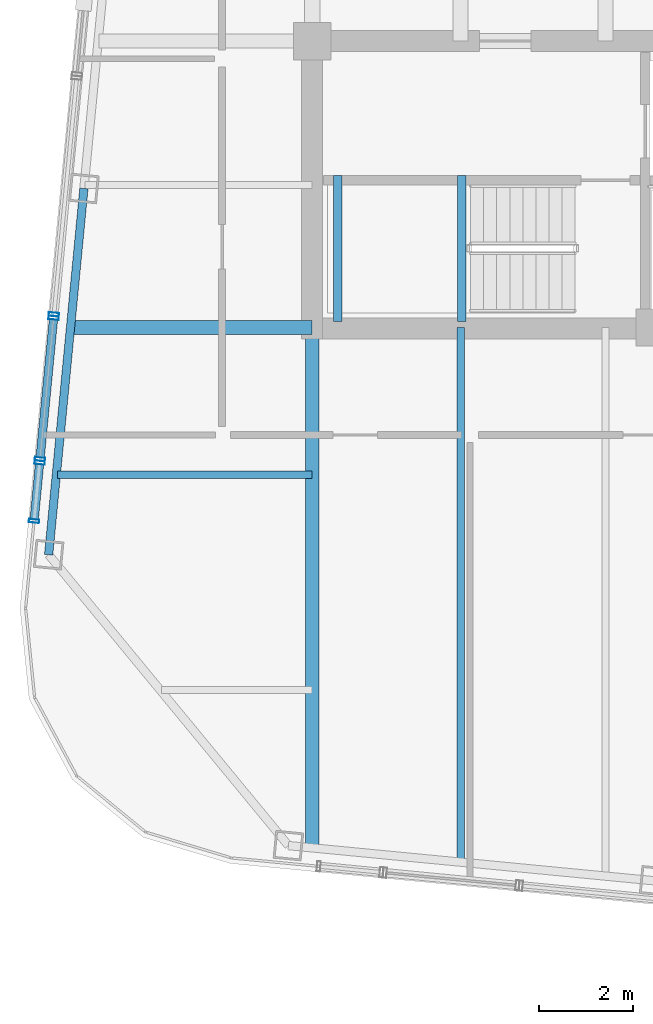
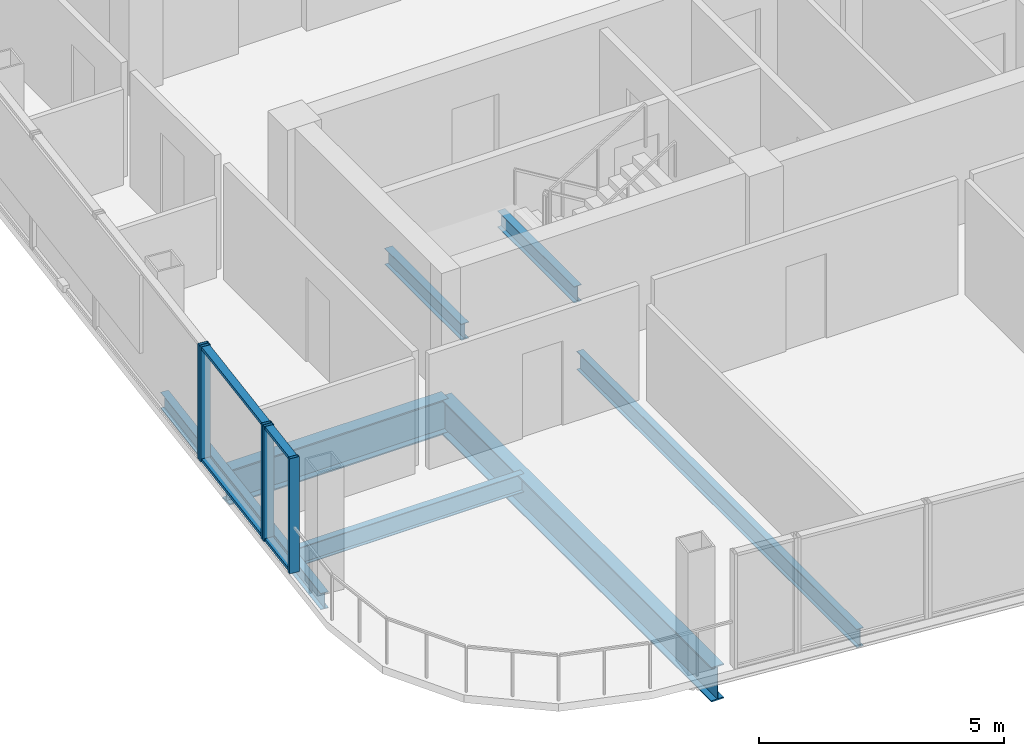
# One storey, part 3 of 23: 9 members, 7 beams, 3 elements without a shape of their own.
"""IFC4 building model written with IfcOpenShell, lengths in metres."""

from ifc_helpers import new_model, si_unit, direction, frame, origin, origin_2d, place, context, subcontext, project, spatial, hollow_rectangle, i_section, extrude, material, layer, layer_set, material_profile, profile_set, type_object, element, aggregate, save


model = new_model("IFC4")

# Units and contexts
model_context = context("Model", 3, precision=1e-05, world=origin(), true_north=direction((0.0, 1.0)))
body_context = subcontext(model_context, "Body", "Model", "MODEL_VIEW")
ifc_project = project(units=[si_unit("LENGTHUNIT", "METRE"), si_unit("AREAUNIT", "SQUARE_METRE"), si_unit("VOLUMEUNIT", "CUBIC_METRE"), si_unit("PLANEANGLEUNIT", "RADIAN"), si_unit("MASSUNIT", "GRAM", prefix="KILO")], contexts=[model_context])

# Site, building, storey
site_placement = place(None, origin())
site = spatial("IfcSite", under=ifc_project, at=site_placement, CompositionType="ELEMENT")
building_placement = place(site_placement, origin())
building = spatial("IfcBuilding", under=site, at=building_placement, Name="Qhalaya Broadcast Tower", CompositionType="ELEMENT")
storey_placement = place(building_placement, frame((0.0, 0.0, 261.14990234375)))
storey = spatial("IfcBuildingStorey", under=building, at=storey_placement, Name="L77", CompositionType="ELEMENT", Elevation=261.14990234375)

# Beams
ifc_material_1 = material(Name="Structural Steel ASTM A992 Grade 50", Category="steel")
ifc_material_profile_1 = material_profile(ifc_material_1, i_section(OverallWidth=0.154052734375, OverallDepth=0.458984375, WebThickness=0.009033203125, FlangeThickness=0.015380859375, at=origin_2d()), Name="W18X46")
ifc_profile_set_1 = profile_set([ifc_material_profile_1], Name="Structural Steel ASTM A992 Grade 50")
beam_type_1 = type_object("IfcBeamType", Name="Composite Floor Joist J04", PredefinedType="JOIST", material=ifc_profile_set_1)
beam_1_placement = place(storey_placement, frame((-6.199951171875, -20.1630859375, -0.41943359375), z_axis=(0.0, 1.0, 0.0), x_axis=(-1.0, 0.0, 0.0)))
element("IfcBeam", 1, at=beam_1_placement, inside=storey, type_object=beam_type_1, Name="L77 J04 L77-JNS1-1", PredefinedType="JOIST", context=body_context, shape_type="SweptSolid", body=[
    extrude(i_section(OverallWidth=0.154052734375, OverallDepth=0.458984375, WebThickness=0.009033203125, FlangeThickness=0.015380859375, at=origin_2d()), origin(), (0.0, 0.0, 1.0), 11.4130859375),
])
beam_2_placement = place(storey_placement, frame((-14.82568359375, -11.89990234375, -0.41943359375), z_axis=(1.0, 0.0, 0.0), x_axis=(0.0, 1.0, 0.0)))
element("IfcBeam", 2, at=beam_2_placement, inside=storey, type_object=beam_type_1, Name="L77 J04 L77-JWE2W-1", PredefinedType="JOIST", context=body_context, shape_type="SweptSolid", body=[
    extrude(i_section(OverallWidth=0.154052734375, OverallDepth=0.458984375, WebThickness=0.009033203125, FlangeThickness=0.015380859375, at=origin_2d()), origin(), (0.0, 0.0, 1.0), 5.45068359375),
])

# Curtain wall, member
ifc_material_2 = material(Name="Fired Architectural Terracotta", Category="masonry")
ifc_layer_1 = layer(ifc_material_2, 0.219970703125, Name="Fired Architectural Terracotta")
ifc_layer_set_1 = layer_set([ifc_layer_1], Name="Fired Architectural Terracotta")
curtain_wall_type_1 = type_object("IfcCurtainWallType", Name="Block-Cap Unitised Terracotta Spandrel Wall CW-07", PredefinedType="NOTDEFINED", material=ifc_layer_set_1)
curtain_wall_1_placement = place(storey_placement, origin())
curtain_wall_1 = element("IfcCurtainWall", 3, at=curtain_wall_1_placement, inside=storey, type_object=curtain_wall_type_1, Name="L77 Unitised Curtain Wall L77-CW-W5", PredefinedType="NOTDEFINED")
ifc_material_3 = material(Name="Anodised Aluminium 6063-T6", Category="aluminium")
ifc_material_profile_2 = material_profile(ifc_material_3, hollow_rectangle(XDim=0.074951171875, YDim=0.219970703125, WallThickness=0.00390625, at=origin_2d()), Name="ALU-MUL 75x220x4")
ifc_profile_set_2 = profile_set([ifc_material_profile_2], Name="Anodised Aluminium 6063-T6")
member_type_1 = type_object("IfcMemberType", Name="Unitised Curtain-Wall Mullion M01", PredefinedType="MULLION", material=ifc_profile_set_2)
member_1_placement = place(storey_placement, frame((-14.8974609375, -8.469970703125, 0.0), z_axis=(0.0, 0.0, 1.0), x_axis=(-0.095849485357, -0.995395838929, 0.0)))
member_1 = element("IfcMember", 4, at=member_1_placement, type_object=member_type_1, Name="CW-07 mullion 2", PredefinedType="MULLION", context=body_context, shape_type="SweptSolid", body=[
    extrude(hollow_rectangle(XDim=0.074951171875, YDim=0.219970703125, WallThickness=0.00390625, at=origin_2d()), origin(), (0.0, 0.0, 1.0), 2.860107421875),
])
aggregate(curtain_wall_1, [member_1])

# Curtain wall, members
ifc_material_4 = material(Name="Solar-Control Low-E Triple Glazing", Category="glass")
ifc_layer_2 = layer(ifc_material_4, 0.219970703125, Name="Solar-Control Low-E Triple Glazing")
ifc_layer_set_2 = layer_set([ifc_layer_2], Name="Solar-Control Low-E Triple Glazing")
curtain_wall_type_2 = type_object("IfcCurtainWallType", Name="High-Altitude Upper-Shaft Triple Low-E Curtain Wall CW-04", PredefinedType="NOTDEFINED", material=ifc_layer_set_2)
curtain_wall_2_placement = place(storey_placement, origin())
curtain_wall_2 = element("IfcCurtainWall", 5, at=curtain_wall_2_placement, inside=storey, type_object=curtain_wall_type_2, Name="L77 Unitised Curtain Wall L77-CW-W6", PredefinedType="NOTDEFINED")
member_2_placement = place(storey_placement, frame((-14.904541015625, -8.544677734375, 0.0), z_axis=(0.0, 0.0, 1.0), x_axis=(-0.095854552953, -0.995395350943, 0.0)))
member_2 = element("IfcMember", 6, at=member_2_placement, type_object=member_type_1, Name="CW-04 mullion 1", PredefinedType="MULLION", context=body_context, shape_type="SweptSolid", body=[
    extrude(hollow_rectangle(XDim=0.074951171875, YDim=0.219970703125, WallThickness=0.00390625, at=origin_2d()), origin(), (0.0, 0.0, 1.0), 2.860107421875),
])
member_3_placement = place(storey_placement, frame((-15.195556640625, -11.565673828125, 0.0), z_axis=(0.0, 0.0, 1.0), x_axis=(-0.095854552953, -0.995395350943, 0.0)))
member_3 = element("IfcMember", 7, at=member_3_placement, type_object=member_type_1, Name="CW-04 mullion 2", PredefinedType="MULLION", context=body_context, shape_type="SweptSolid", body=[
    extrude(hollow_rectangle(XDim=0.074951171875, YDim=0.219970703125, WallThickness=0.00390625, at=origin_2d()), origin(), (0.0, 0.0, 1.0), 2.860107421875),
])

curtain_wall_3_placement = place(storey_placement, origin())
curtain_wall_3 = element("IfcCurtainWall", 8, at=curtain_wall_3_placement, inside=storey, type_object=curtain_wall_type_1, Name="L77 Unitised Curtain Wall L77-CW-W7", PredefinedType="NOTDEFINED")
member_4_placement = place(storey_placement, frame((-15.20263671875, -11.640380859375, 0.0), z_axis=(0.0, 0.0, 1.0), x_axis=(-0.095857322215, -0.995395084264, 0.0)))
member_4 = element("IfcMember", 9, at=member_4_placement, type_object=member_type_1, Name="CW-07 mullion 1", PredefinedType="MULLION", context=body_context, shape_type="SweptSolid", body=[
    extrude(hollow_rectangle(XDim=0.074951171875, YDim=0.219970703125, WallThickness=0.00390625, at=origin_2d()), origin(), (0.0, 0.0, 1.0), 2.860107421875),
])
member_5_placement = place(storey_placement, frame((-15.32275390625, -12.887451171875, 0.0), z_axis=(0.0, 0.0, 1.0), x_axis=(-0.095857322215, -0.995395084264, 0.0)))
member_5 = element("IfcMember", 10, at=member_5_placement, type_object=member_type_1, Name="CW-07 mullion 2", PredefinedType="MULLION", context=body_context, shape_type="SweptSolid", body=[
    extrude(hollow_rectangle(XDim=0.074951171875, YDim=0.219970703125, WallThickness=0.00390625, at=origin_2d()), origin(), (0.0, 0.0, 1.0), 2.860107421875),
])

# Member
ifc_material_profile_3 = material_profile(ifc_material_3, hollow_rectangle(XDim=0.074951171875, YDim=0.179931640625, WallThickness=0.00390625, at=origin_2d()), Name="ALU-TRN 75x180x4")
ifc_profile_set_3 = profile_set([ifc_material_profile_3], Name="Anodised Aluminium 6063-T6")
member_type_2 = type_object("IfcMemberType", Name="Unitised Curtain-Wall Transom T01", PredefinedType="USERDEFINED", material=ifc_profile_set_3)
member_6_placement = place(storey_placement, frame((-14.908203125, -8.58203125, 0.03759765625), z_axis=(-0.095844425832, -0.995396326112, 0.0), x_axis=(0.0, 0.0, 1.0)))
member_6 = element("IfcMember", 11, at=member_6_placement, type_object=member_type_2, Name="CW-04 transom 1.1", ObjectType="TRANSOM", PredefinedType="USERDEFINED", context=body_context, shape_type="SweptSolid", body=[
    extrude(hollow_rectangle(XDim=0.074951171875, YDim=0.179931640625, WallThickness=0.00390625, at=origin_2d()), origin(), (0.0, 0.0, 1.0), 2.9599609375),
])

member_7_placement = place(storey_placement, frame((-14.908203125, -8.58203125, 2.822509765625), z_axis=(-0.095844425832, -0.995396326112, 0.0), x_axis=(0.0, 0.0, 1.0)))
member_7 = element("IfcMember", 12, at=member_7_placement, type_object=member_type_2, Name="CW-04 transom 1.2", ObjectType="TRANSOM", PredefinedType="USERDEFINED", context=body_context, shape_type="SweptSolid", body=[
    extrude(hollow_rectangle(XDim=0.074951171875, YDim=0.179931640625, WallThickness=0.00390625, at=origin_2d()), origin(), (0.0, 0.0, 1.0), 2.9599609375),
])

aggregate(curtain_wall_2, [member_2, member_3, member_6, member_7])

member_8_placement = place(storey_placement, frame((-15.206298828125, -11.677734375, 0.03759765625), z_axis=(-0.095747947597, -0.995405611061, 0.0), x_axis=(0.0, 0.0, 1.0)))
member_8 = element("IfcMember", 13, at=member_8_placement, type_object=member_type_2, Name="CW-07 transom 1.1", ObjectType="TRANSOM", PredefinedType="USERDEFINED", context=body_context, shape_type="SweptSolid", body=[
    extrude(hollow_rectangle(XDim=0.074951171875, YDim=0.179931640625, WallThickness=0.00390625, at=origin_2d()), origin(), (0.0, 0.0, 1.0), 1.177978515625),
])

member_9_placement = place(storey_placement, frame((-15.206298828125, -11.677734375, 2.822509765625), z_axis=(-0.095747947597, -0.995405611061, 0.0), x_axis=(0.0, 0.0, 1.0)))
member_9 = element("IfcMember", 14, at=member_9_placement, type_object=member_type_2, Name="CW-07 transom 1.2", ObjectType="TRANSOM", PredefinedType="USERDEFINED", context=body_context, shape_type="SweptSolid", body=[
    extrude(hollow_rectangle(XDim=0.074951171875, YDim=0.179931640625, WallThickness=0.00390625, at=origin_2d()), origin(), (0.0, 0.0, 1.0), 1.177978515625),
])

aggregate(curtain_wall_3, [member_4, member_5, member_8, member_9])

# Beams
ifc_material_profile_4 = material_profile(ifc_material_1, i_section(OverallWidth=0.2919921875, OverallDepth=0.85888671875, WebThickness=0.01708984375, FlangeThickness=0.031005859375, at=origin_2d()), Name="W33X169")
ifc_profile_set_4 = profile_set([ifc_material_profile_4], Name="Structural Steel ASTM A992 Grade 50")
beam_type_2 = type_object("IfcBeamType", Name="Upper Block Primary Girder PG4", PredefinedType="USERDEFINED", material=ifc_profile_set_4)
beam_3_placement = place(storey_placement, frame((-9.375, -19.857421875, -0.619384765625), z_axis=(0.0, 1.0, 0.0), x_axis=(-1.0, 0.0, 0.0)))
element("IfcBeam", 15, at=beam_3_placement, inside=storey, type_object=beam_type_2, Name="L77 PG4 L77-PGXS1-1", ObjectType="GIRDER", PredefinedType="USERDEFINED", context=body_context, shape_type="SweptSolid", body=[
    extrude(i_section(OverallWidth=0.2919921875, OverallDepth=0.85888671875, WebThickness=0.01708984375, FlangeThickness=0.031005859375, at=origin_2d()), origin(), (0.0, 0.0, 1.0), 11.107421875),
])
beam_4_placement = place(storey_placement, frame((-14.5224609375, -8.75, -0.619384765625), z_axis=(1.0, 0.0, 0.0), x_axis=(0.0, 1.0, 0.0)))
element("IfcBeam", 16, at=beam_4_placement, inside=storey, type_object=beam_type_2, Name="L77 PG4 L77-PGYW1-1", ObjectType="GIRDER", PredefinedType="USERDEFINED", context=body_context, shape_type="SweptSolid", body=[
    extrude(i_section(OverallWidth=0.2919921875, OverallDepth=0.85888671875, WebThickness=0.01708984375, FlangeThickness=0.031005859375, at=origin_2d()), origin(), (0.0, 0.0, 1.0), 5.1474609375),
])
ifc_material_profile_5 = material_profile(ifc_material_1, i_section(OverallWidth=0.177978515625, OverallDepth=0.406005859375, WebThickness=0.0078125, FlangeThickness=0.0126953125, at=origin_2d()), Name="W16X40")
ifc_profile_set_5 = profile_set([ifc_material_profile_5], Name="Structural Steel ASTM A992 Grade 50")
beam_type_3 = type_object("IfcBeamType", Name="Upper Perimeter Spandrel Beam SP2", PredefinedType="SPANDREL", material=ifc_profile_set_5)
beam_5_placement = place(storey_placement, frame((-14.25634765625, -5.77783203125, -0.392822265625), z_axis=(-0.095864972855, -0.995394347472, 0.0), x_axis=(0.995394347472, -0.095864972855, 0.0)))
element("IfcBeam", 17, at=beam_5_placement, inside=storey, type_object=beam_type_3, Name="L77 SP2 L77-SPR-15", PredefinedType="SPANDREL", context=body_context, shape_type="SweptSolid", body=[
    extrude(i_section(OverallWidth=0.177978515625, OverallDepth=0.406005859375, WebThickness=0.0078125, FlangeThickness=0.0126953125, at=origin_2d()), origin(), (0.0, 0.0, 1.0), 7.86669921875),
])
for number, where, z_axis, x_axis, name in (
    (18, (-8.830078125, -8.6201171875, 1.1220703125), (0.0, 1.0, 0.0), (-1.0, 0.0, 0.0), "L77 ST-2 Half-Landing Bearer Beam 1"),
    (19, (-6.175048828125, -8.6201171875, 1.1220703125), (0.0, 1.0, 0.0), (-1.0, 0.0, 0.0), "L77 ST-2 Half-Landing Bearer Beam 2"),
):
    element("IfcBeam", number, at=place(storey_placement, frame(where, z_axis=z_axis, x_axis=x_axis)), inside=storey, type_object=beam_type_3, Name=name, PredefinedType="SPANDREL", context=body_context, shape_type="SweptSolid", body=[
        extrude(i_section(OverallWidth=0.177978515625, OverallDepth=0.406005859375, WebThickness=0.0078125, FlangeThickness=0.0126953125, at=origin_2d()), origin(), (0.0, 0.0, 1.0), 3.1201171875),
    ])

save(model, "model.ifc")
